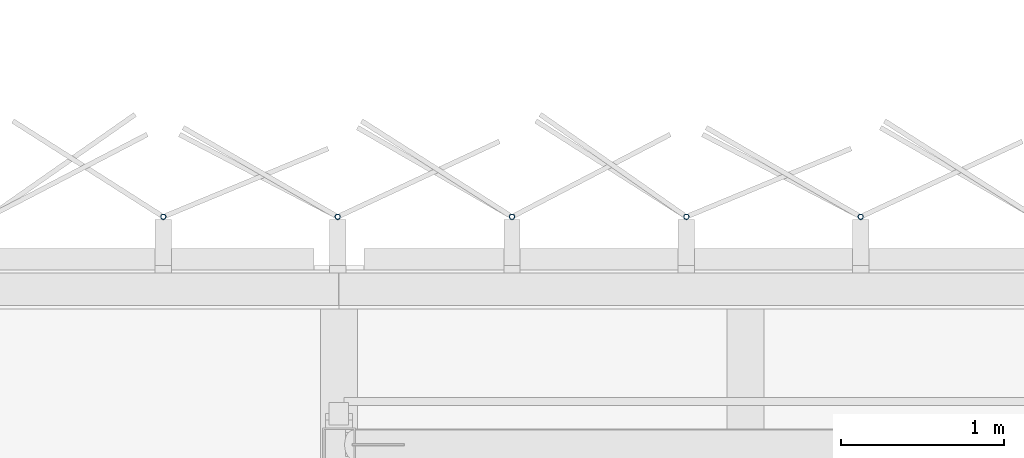
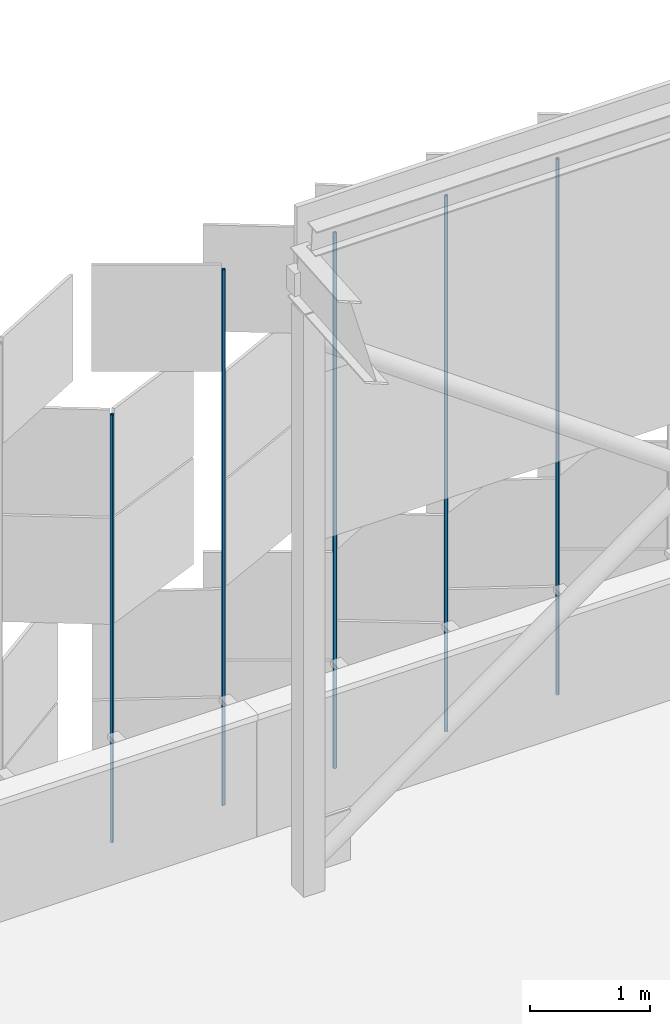
# One storey, part 344 of 483: 5 discrete accessories.
"""IFC4 building model written with IfcOpenShell, lengths in metres."""

from ifc_helpers import new_model, si_unit, direction, frame, origin, origin_2d, place, context, subcontext, project, spatial, hollow_circle, extrude, material, material_profile, profile_set, type_object, element, save


model = new_model("IFC4")

# Units and contexts
model_context = context("Model", 3, precision=1e-05, world=origin(), true_north=direction((0.0, 1.0)))
body_context = subcontext(model_context, "Body", "Model", "MODEL_VIEW")
ifc_project = project(units=[si_unit("LENGTHUNIT", "METRE"), si_unit("AREAUNIT", "SQUARE_METRE"), si_unit("VOLUMEUNIT", "CUBIC_METRE"), si_unit("PLANEANGLEUNIT", "RADIAN"), si_unit("MASSUNIT", "GRAM", prefix="KILO")], contexts=[model_context])

# Site, building, storey
site_placement = place(None, origin())
site = spatial("IfcSite", under=ifc_project, at=site_placement, CompositionType="ELEMENT")
building_placement = place(site_placement, origin())
building = spatial("IfcBuilding", under=site, at=building_placement, Name="Parallax Yard Mobility Hub", CompositionType="ELEMENT")
storey_placement = place(building_placement, frame((0.0, 0.0, 13.199951171875)))
storey = spatial("IfcBuildingStorey", under=building, at=storey_placement, Name="L04", CompositionType="ELEMENT", Elevation=13.199951171875)

# Discrete accessories
ifc_material = material(Name="Steel ASTM A500 Gr C, hot-dip galvanised", Category="steel")
ifc_material_profile = material_profile(ifc_material, hollow_circle(Radius=0.016845703125, WallThickness=0.003173828125, at=origin_2d()), Name="CHS 33.7x3.2")
ifc_profile_set = profile_set([ifc_material_profile], Name="Steel ASTM A500 Gr C, hot-dip galvanised")
discrete_accessory_type = type_object("IfcDiscreteAccessoryType", Name="Hinge post CHS 33.7x3.2", PredefinedType="BRACKET", material=ifc_profile_set)
for number, where, z_axis, x_axis, name in (
    (1, (93.206787109375, 142.800048828125, 0.0), (0.0, 0.0, 1.0), (1.0, 0.0, 0.0), "Hinge post bay 61.5 level L04"),
    (2, (92.13525390625, 142.800048828125, 0.0), (0.0, 0.0, 1.0), (1.0, 0.0, 0.0), "Hinge post bay 61.6 level L04"),
    (3, (91.063720703125, 142.800048828125, 0.0), (0.0, 0.0, 1.0), (1.0, 0.0, 0.0), "Hinge post bay 61.7 level L04"),
    (4, (89.9921875, 142.800048828125, 0.0), (0.0, 0.0, 1.0), (1.0, 0.0, 0.0), "Hinge post bay 62.1 level L04"),
):
    element("IfcDiscreteAccessory", number, at=place(storey_placement, frame(where, z_axis=z_axis, x_axis=x_axis)), inside=storey, type_object=discrete_accessory_type, Name=name, PredefinedType="BRACKET", context=body_context, shape_type="SweptSolid", body=[
        extrude(hollow_circle(Radius=0.016845703125, WallThickness=0.003173828125, at=origin_2d()), origin(), (0.0, 0.0, 1.0), 5.449951171875),
    ])
discrete_accessory_placement = place(storey_placement, frame((88.92041015625, 142.800048828125, 0.0), z_axis=(0.0, 0.0, 1.0), x_axis=(1.0, 0.0, 0.0)))
element("IfcDiscreteAccessory", 5, at=discrete_accessory_placement, inside=storey, type_object=discrete_accessory_type, Name="Hinge post bay 62.2 level L04", PredefinedType="BRACKET", context=body_context, shape_type="SweptSolid", body=[
    extrude(hollow_circle(Radius=0.016845703125, WallThickness=0.003173828125, at=origin_2d()), origin(), (0.0, 0.0, 1.0), 4.35009765625),
])

save(model, "model.ifc")
